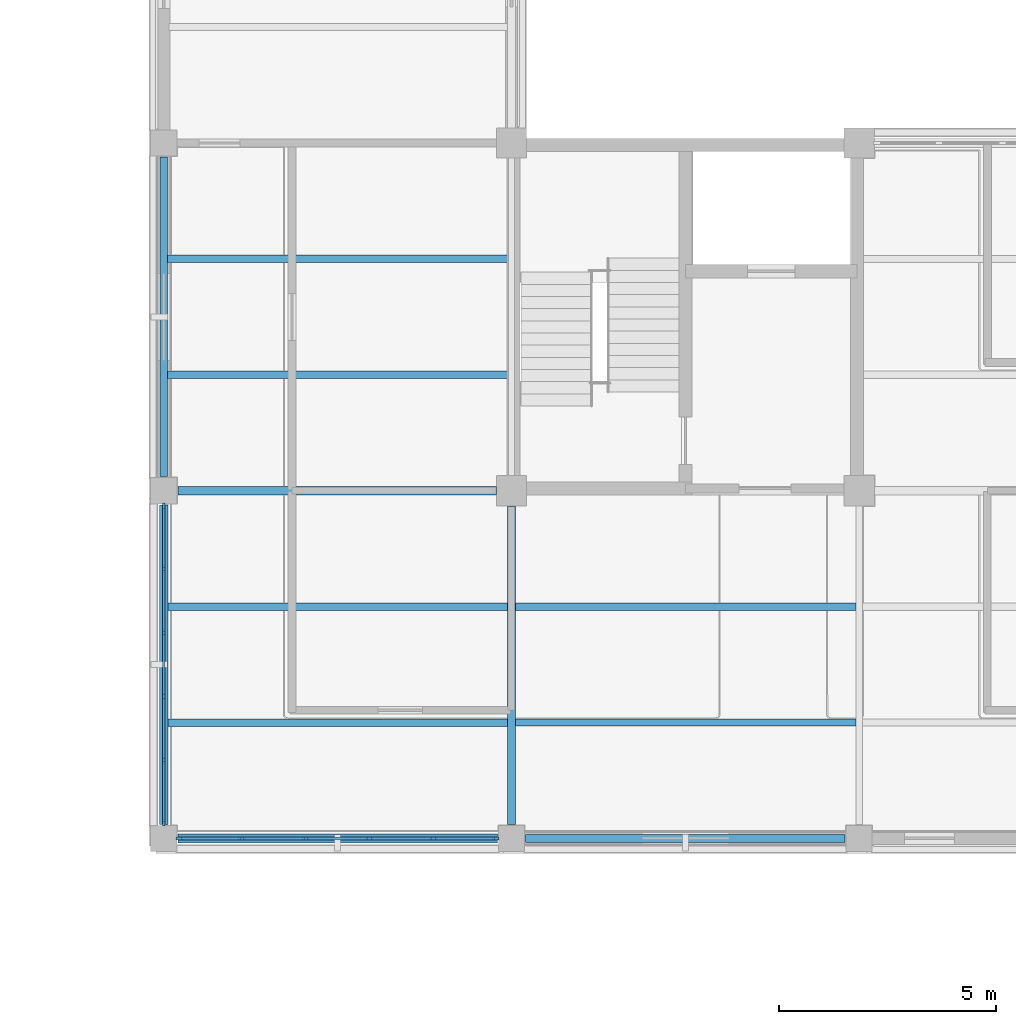
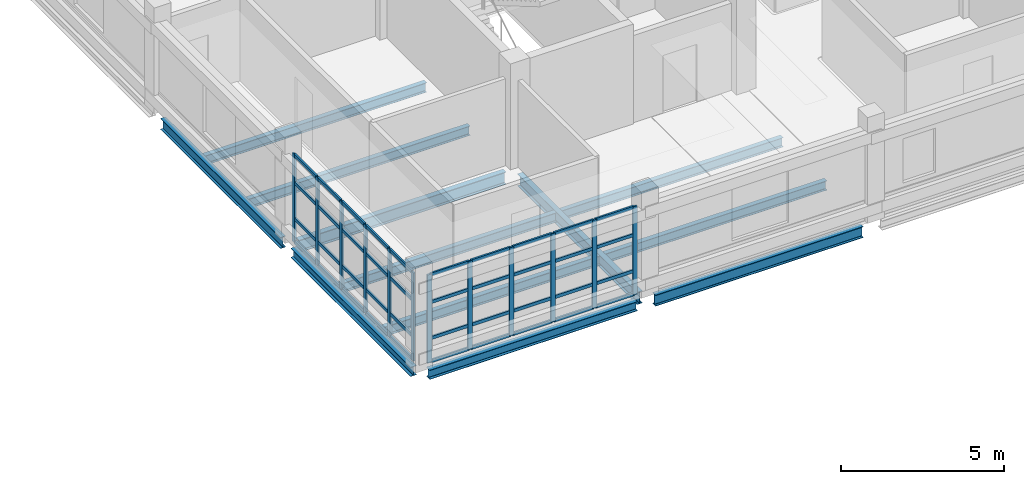
# One storey, part 10 of 35: 52 members, 12 beams, 2 elements without a shape of their own.
"""IFC4 building model written with IfcOpenShell, lengths in metres."""

from ifc_helpers import new_model, si_unit, derived_unit, direction, frame, origin, origin_2d, place, context, subcontext, project, spatial, rectangle, i_section, extrude, material, layer, layer_set, material_profile, profile_set, type_object, element, aggregate, save


model = new_model("IFC4")

# Units and contexts
model_context = context("Model", 3, precision=1e-05, world=origin(), true_north=direction((0.0, 1.0)))
body_context = subcontext(model_context, "Body", "Model", "MODEL_VIEW")
ifc_project = project(units=[si_unit("LENGTHUNIT", "METRE"), si_unit("AREAUNIT", "SQUARE_METRE"), si_unit("VOLUMEUNIT", "CUBIC_METRE"), si_unit("PLANEANGLEUNIT", "RADIAN"), si_unit("MASSUNIT", "GRAM", prefix="KILO"), derived_unit("THERMALTRANSMITTANCEUNIT", [(si_unit("MASSUNIT", "GRAM", prefix="KILO"), 1), (si_unit("TIMEUNIT", "SECOND"), -3), (si_unit("THERMODYNAMICTEMPERATUREUNIT", "KELVIN"), -1)])], contexts=[model_context])

# Site, building, storey
site_placement = place(None, origin())
site = spatial("IfcSite", under=ifc_project, at=site_placement, CompositionType="ELEMENT")
building_placement = place(site_placement, origin())
building = spatial("IfcBuilding", under=site, at=building_placement, Name="Veyamyaing Civic Hall", CompositionType="ELEMENT")
storey_placement = place(building_placement, frame((0.0, 0.0, 21.780029296875)))
storey = spatial("IfcBuildingStorey", under=building, at=storey_placement, Name="L05", CompositionType="ELEMENT", Elevation=21.780029296875)

# Beams
ifc_material_1 = material(Name="Steel ASTM A992", Category="steel")
ifc_material_profile_1 = material_profile(ifc_material_1, i_section(OverallWidth=0.19189453125, OverallDepth=0.462890625, WebThickness=0.010498046875, FlangeThickness=0.017578125, FilletRadius=0.010009765625, at=origin_2d()), Name="W460X89")
ifc_profile_set_1 = profile_set([ifc_material_profile_1], Name="Steel ASTM A992")
beam_type_1 = type_object("IfcBeamType", Name="B-08", PredefinedType="BEAM", material=ifc_profile_set_1)
beam_1_placement = place(storey_placement, frame((128.324951171875, 96.0, -0.45654296875), z_axis=(1.0, 0.0, 0.0), x_axis=(0.0, 1.0, 0.0)))
element("IfcBeam", 1, at=beam_1_placement, inside=storey, type_object=beam_type_1, Name="Girder B-08 L05 Grid N 17-18", PredefinedType="BEAM", context=body_context, shape_type="SweptSolid", body=[
    extrude(i_section(OverallWidth=0.19189453125, OverallDepth=0.462890625, WebThickness=0.010498046875, FlangeThickness=0.017578125, FilletRadius=0.010009765625, at=origin_2d()), origin(), (0.0, 0.0, 1.0), 7.324951171875),
])
ifc_material_profile_2 = material_profile(ifc_material_1, i_section(OverallWidth=0.18994140625, OverallDepth=0.45703125, WebThickness=0.009033203125, FlangeThickness=0.014404296875, FilletRadius=0.010009765625, at=origin_2d()), Name="W460X74")
ifc_profile_set_2 = profile_set([ifc_material_profile_2], Name="Steel ASTM A992")
beam_type_2 = type_object("IfcBeamType", Name="B-09", PredefinedType="BEAM", material=ifc_profile_set_2)
beam_2_placement = place(storey_placement, frame((136.0, 88.324951171875, -0.45361328125), z_axis=(0.0, 1.0, 0.0), x_axis=(-1.0, 0.0, 0.0)))
element("IfcBeam", 2, at=beam_2_placement, inside=storey, type_object=beam_type_2, Name="Girder B-09 L05 Grid 18 M-N", PredefinedType="BEAM", context=body_context, shape_type="SweptSolid", body=[
    extrude(i_section(OverallWidth=0.18994140625, OverallDepth=0.45703125, WebThickness=0.009033203125, FlangeThickness=0.014404296875, FilletRadius=0.010009765625, at=origin_2d()), origin(), (0.0, 0.0, 1.0), 7.324951171875),
])
ifc_material_profile_3 = material_profile(ifc_material_1, i_section(OverallWidth=0.2041015625, OverallDepth=0.35009765625, WebThickness=0.0078125, FlangeThickness=0.01513671875, FilletRadius=0.010009765625, at=origin_2d()), Name="W360X72")
ifc_profile_set_3 = profile_set([ifc_material_profile_3], Name="Steel ASTM A992")
beam_type_3 = type_object("IfcBeamType", Name="B-11", PredefinedType="SPANDREL", material=ifc_profile_set_3)
for number, where, z_axis, x_axis, name in (
    (3, (128.324951171875, 88.0, -0.400146484375), (1.0, 0.0, 0.0), (0.0, 1.0, 0.0), "Girder B-11 L05 Grid M 17-18"),
    (4, (128.0, 88.324951171875, -0.400146484375), (0.0, 1.0, 0.0), (-1.0, 0.0, 0.0), "Girder B-11 L05 Grid 17 M-N"),
):
    element("IfcBeam", number, at=place(storey_placement, frame(where, z_axis=z_axis, x_axis=x_axis)), inside=storey, type_object=beam_type_3, Name=name, PredefinedType="SPANDREL", context=body_context, shape_type="SweptSolid", body=[
        extrude(i_section(OverallWidth=0.2041015625, OverallDepth=0.35009765625, WebThickness=0.0078125, FlangeThickness=0.01513671875, FilletRadius=0.010009765625, at=origin_2d()), origin(), (0.0, 0.0, 1.0), 7.35009765625),
    ])
ifc_material_profile_4 = material_profile(ifc_material_1, i_section(OverallWidth=0.180908203125, OverallDepth=0.4169921875, WebThickness=0.010986328125, FlangeThickness=0.018310546875, FilletRadius=0.010009765625, at=origin_2d()), Name="W410X85")
ifc_profile_set_4 = profile_set([ifc_material_profile_4], Name="Steel ASTM A992")
beam_type_4 = type_object("IfcBeamType", Name="B-19", PredefinedType="SPANDREL", material=ifc_profile_set_4)
for number, where, z_axis, x_axis, name in (
    (5, (136.324951171875, 88.0, -0.43359375), (1.0, 0.0, 0.0), (0.0, 1.0, 0.0), "Girder B-19 L05 Grid M 18-19"),
    (6, (128.0, 96.324951171875, -0.43359375), (0.0, 1.0, 0.0), (-1.0, 0.0, 0.0), "Girder B-19 L05 Grid 17 N-P"),
):
    element("IfcBeam", number, at=place(storey_placement, frame(where, z_axis=z_axis, x_axis=x_axis)), inside=storey, type_object=beam_type_4, Name=name, PredefinedType="SPANDREL", context=body_context, shape_type="SweptSolid", body=[
        extrude(i_section(OverallWidth=0.180908203125, OverallDepth=0.4169921875, WebThickness=0.010986328125, FlangeThickness=0.018310546875, FilletRadius=0.010009765625, at=origin_2d()), origin(), (0.0, 0.0, 1.0), 7.35009765625),
    ])

# Curtain wall, members
ifc_material_2 = material(Name="Anodised aluminium 6063-T6", Category="aluminium")
ifc_layer = layer(ifc_material_2, 0.159912109375, Name="Anodised aluminium 6063-T6")
ifc_layer_set = layer_set([ifc_layer], Name="Anodised aluminium 6063-T6")
curtain_wall_type = type_object("IfcCurtainWallType", Name="CW-09", PredefinedType="NOTDEFINED", material=ifc_layer_set)
curtain_wall_1_placement = place(storey_placement, origin())
curtain_wall_1 = element("IfcCurtainWall", 7, at=curtain_wall_1_placement, inside=storey, type_object=curtain_wall_type, Name="Unitized curtain wall CW-09 L05 S 17.12", PredefinedType="NOTDEFINED")
ifc_material_profile_5 = material_profile(ifc_material_2, rectangle(XDim=0.06494140625, YDim=0.159912109375, at=origin_2d()), Name="ALU-MUL-65X160")
ifc_profile_set_5 = profile_set([ifc_material_profile_5], Name="Anodised aluminium 6063-T6")
member_type_1 = type_object("IfcMemberType", Name="CWM-01", PredefinedType="MULLION", material=ifc_profile_set_5)
member_1_placement = place(storey_placement, frame((128.362548828125, 88.0, 0.0), z_axis=(0.0, 0.0, 1.0), x_axis=(0.0, 1.0, 0.0)))
member_1 = element("IfcMember", 8, at=member_1_placement, type_object=member_type_1, Name="CW-09 mullion 1", PredefinedType="MULLION", context=body_context, shape_type="SweptSolid", body=[
    extrude(rectangle(XDim=0.06494140625, YDim=0.159912109375, at=origin_2d()), origin(), (0.0, 0.0, 1.0), 3.304931640625),
])
member_2_placement = place(storey_placement, frame((129.798095703125, 88.0, 0.0), z_axis=(0.0, 0.0, 1.0), x_axis=(0.0, 1.0, 0.0)))
member_2 = element("IfcMember", 9, at=member_2_placement, type_object=member_type_1, Name="CW-09 mullion 2", PredefinedType="MULLION", context=body_context, shape_type="SweptSolid", body=[
    extrude(rectangle(XDim=0.06494140625, YDim=0.159912109375, at=origin_2d()), origin(), (0.0, 0.0, 1.0), 3.304931640625),
])
member_3_placement = place(storey_placement, frame((131.26611328125, 88.0, 0.0), z_axis=(0.0, 0.0, 1.0), x_axis=(0.0, 1.0, 0.0)))
member_3 = element("IfcMember", 10, at=member_3_placement, type_object=member_type_1, Name="CW-09 mullion 3", PredefinedType="MULLION", context=body_context, shape_type="SweptSolid", body=[
    extrude(rectangle(XDim=0.06494140625, YDim=0.159912109375, at=origin_2d()), origin(), (0.0, 0.0, 1.0), 3.304931640625),
])
member_4_placement = place(storey_placement, frame((132.73388671875, 88.0, 0.0), z_axis=(0.0, 0.0, 1.0), x_axis=(0.0, 1.0, 0.0)))
member_4 = element("IfcMember", 11, at=member_4_placement, type_object=member_type_1, Name="CW-09 mullion 4", PredefinedType="MULLION", context=body_context, shape_type="SweptSolid", body=[
    extrude(rectangle(XDim=0.06494140625, YDim=0.159912109375, at=origin_2d()), origin(), (0.0, 0.0, 1.0), 3.304931640625),
])
member_5_placement = place(storey_placement, frame((134.201904296875, 88.0, 0.0), z_axis=(0.0, 0.0, 1.0), x_axis=(0.0, 1.0, 0.0)))
member_5 = element("IfcMember", 12, at=member_5_placement, type_object=member_type_1, Name="CW-09 mullion 5", PredefinedType="MULLION", context=body_context, shape_type="SweptSolid", body=[
    extrude(rectangle(XDim=0.06494140625, YDim=0.159912109375, at=origin_2d()), origin(), (0.0, 0.0, 1.0), 3.304931640625),
])
member_6_placement = place(storey_placement, frame((135.637451171875, 88.0, 0.0), z_axis=(0.0, 0.0, 1.0), x_axis=(0.0, 1.0, 0.0)))
member_6 = element("IfcMember", 13, at=member_6_placement, type_object=member_type_1, Name="CW-09 mullion 6", PredefinedType="MULLION", context=body_context, shape_type="SweptSolid", body=[
    extrude(rectangle(XDim=0.06494140625, YDim=0.159912109375, at=origin_2d()), origin(), (0.0, 0.0, 1.0), 3.304931640625),
])

curtain_wall_2_placement = place(storey_placement, origin())
curtain_wall_2 = element("IfcCurtainWall", 14, at=curtain_wall_2_placement, inside=storey, type_object=curtain_wall_type, Name="Unitized curtain wall CW-09 L05 W 17.12", PredefinedType="NOTDEFINED")
member_7_placement = place(storey_placement, frame((128.0, 88.362548828125, 0.0), z_axis=(0.0, 0.0, 1.0), x_axis=(-1.0, 0.0, 0.0)))
member_7 = element("IfcMember", 15, at=member_7_placement, type_object=member_type_1, Name="CW-09 mullion 1", PredefinedType="MULLION", context=body_context, shape_type="SweptSolid", body=[
    extrude(rectangle(XDim=0.06494140625, YDim=0.159912109375, at=origin_2d()), origin(), (0.0, 0.0, 1.0), 3.304931640625),
])
member_8_placement = place(storey_placement, frame((128.0, 89.798095703125, 0.0), z_axis=(0.0, 0.0, 1.0), x_axis=(-1.0, 0.0, 0.0)))
member_8 = element("IfcMember", 16, at=member_8_placement, type_object=member_type_1, Name="CW-09 mullion 2", PredefinedType="MULLION", context=body_context, shape_type="SweptSolid", body=[
    extrude(rectangle(XDim=0.06494140625, YDim=0.159912109375, at=origin_2d()), origin(), (0.0, 0.0, 1.0), 3.304931640625),
])
member_9_placement = place(storey_placement, frame((128.0, 91.26611328125, 0.0), z_axis=(0.0, 0.0, 1.0), x_axis=(-1.0, 0.0, 0.0)))
member_9 = element("IfcMember", 17, at=member_9_placement, type_object=member_type_1, Name="CW-09 mullion 3", PredefinedType="MULLION", context=body_context, shape_type="SweptSolid", body=[
    extrude(rectangle(XDim=0.06494140625, YDim=0.159912109375, at=origin_2d()), origin(), (0.0, 0.0, 1.0), 3.304931640625),
])
member_10_placement = place(storey_placement, frame((128.0, 92.73388671875, 0.0), z_axis=(0.0, 0.0, 1.0), x_axis=(-1.0, 0.0, 0.0)))
member_10 = element("IfcMember", 18, at=member_10_placement, type_object=member_type_1, Name="CW-09 mullion 4", PredefinedType="MULLION", context=body_context, shape_type="SweptSolid", body=[
    extrude(rectangle(XDim=0.06494140625, YDim=0.159912109375, at=origin_2d()), origin(), (0.0, 0.0, 1.0), 3.304931640625),
])
member_11_placement = place(storey_placement, frame((128.0, 94.201904296875, 0.0), z_axis=(0.0, 0.0, 1.0), x_axis=(-1.0, 0.0, 0.0)))
member_11 = element("IfcMember", 19, at=member_11_placement, type_object=member_type_1, Name="CW-09 mullion 5", PredefinedType="MULLION", context=body_context, shape_type="SweptSolid", body=[
    extrude(rectangle(XDim=0.06494140625, YDim=0.159912109375, at=origin_2d()), origin(), (0.0, 0.0, 1.0), 3.304931640625),
])
member_12_placement = place(storey_placement, frame((128.0, 95.637451171875, 0.0), z_axis=(0.0, 0.0, 1.0), x_axis=(-1.0, 0.0, 0.0)))
member_12 = element("IfcMember", 20, at=member_12_placement, type_object=member_type_1, Name="CW-09 mullion 6", PredefinedType="MULLION", context=body_context, shape_type="SweptSolid", body=[
    extrude(rectangle(XDim=0.06494140625, YDim=0.159912109375, at=origin_2d()), origin(), (0.0, 0.0, 1.0), 3.304931640625),
])

# Member
ifc_material_profile_6 = material_profile(ifc_material_2, rectangle(XDim=0.06494140625, YDim=0.1201171875, at=origin_2d()), Name="ALU-TRN-65X120")
ifc_profile_set_6 = profile_set([ifc_material_profile_6], Name="Anodised aluminium 6063-T6")
member_type_2 = type_object("IfcMemberType", Name="CWT-01", PredefinedType="USERDEFINED", material=ifc_profile_set_6)
member_13_placement = place(storey_placement, frame((128.39501953125, 88.0, 0.032470703125), z_axis=(1.0, 0.0, 0.0), x_axis=(0.0, 1.0, 0.0)))
member_13 = element("IfcMember", 21, at=member_13_placement, type_object=member_type_2, Name="CW-09 transom 1.1", ObjectType="TRANSOM", PredefinedType="USERDEFINED", context=body_context, shape_type="SweptSolid", body=[
    extrude(rectangle(XDim=0.06494140625, YDim=0.1201171875, at=origin_2d()), origin(), (0.0, 0.0, 1.0), 1.370361328125),
])

member_14_placement = place(storey_placement, frame((128.39501953125, 88.0, 0.89990234375), z_axis=(1.0, 0.0, 0.0), x_axis=(0.0, 1.0, 0.0)))
member_14 = element("IfcMember", 22, at=member_14_placement, type_object=member_type_2, Name="CW-09 transom 1.2", ObjectType="TRANSOM", PredefinedType="USERDEFINED", context=body_context, shape_type="SweptSolid", body=[
    extrude(rectangle(XDim=0.06494140625, YDim=0.1201171875, at=origin_2d()), origin(), (0.0, 0.0, 1.0), 1.370361328125),
])

member_15_placement = place(storey_placement, frame((128.39501953125, 88.0, 2.247314453125), z_axis=(1.0, 0.0, 0.0), x_axis=(0.0, 1.0, 0.0)))
member_15 = element("IfcMember", 23, at=member_15_placement, type_object=member_type_2, Name="CW-09 transom 1.3", ObjectType="TRANSOM", PredefinedType="USERDEFINED", context=body_context, shape_type="SweptSolid", body=[
    extrude(rectangle(XDim=0.06494140625, YDim=0.1201171875, at=origin_2d()), origin(), (0.0, 0.0, 1.0), 1.370361328125),
])

member_16_placement = place(storey_placement, frame((128.39501953125, 88.0, 3.2724609375), z_axis=(1.0, 0.0, 0.0), x_axis=(0.0, 1.0, 0.0)))
member_16 = element("IfcMember", 24, at=member_16_placement, type_object=member_type_2, Name="CW-09 transom 1.4", ObjectType="TRANSOM", PredefinedType="USERDEFINED", context=body_context, shape_type="SweptSolid", body=[
    extrude(rectangle(XDim=0.06494140625, YDim=0.1201171875, at=origin_2d()), origin(), (0.0, 0.0, 1.0), 1.370361328125),
])

member_17_placement = place(storey_placement, frame((129.83056640625, 88.0, 0.032470703125), z_axis=(1.0, 0.0, 0.0), x_axis=(0.0, 1.0, 0.0)))
member_17 = element("IfcMember", 25, at=member_17_placement, type_object=member_type_2, Name="CW-09 transom 2.1", ObjectType="TRANSOM", PredefinedType="USERDEFINED", context=body_context, shape_type="SweptSolid", body=[
    extrude(rectangle(XDim=0.06494140625, YDim=0.1201171875, at=origin_2d()), origin(), (0.0, 0.0, 1.0), 1.40283203125),
])

member_18_placement = place(storey_placement, frame((129.83056640625, 88.0, 0.89990234375), z_axis=(1.0, 0.0, 0.0), x_axis=(0.0, 1.0, 0.0)))
member_18 = element("IfcMember", 26, at=member_18_placement, type_object=member_type_2, Name="CW-09 transom 2.2", ObjectType="TRANSOM", PredefinedType="USERDEFINED", context=body_context, shape_type="SweptSolid", body=[
    extrude(rectangle(XDim=0.06494140625, YDim=0.1201171875, at=origin_2d()), origin(), (0.0, 0.0, 1.0), 1.40283203125),
])

member_19_placement = place(storey_placement, frame((129.83056640625, 88.0, 2.247314453125), z_axis=(1.0, 0.0, 0.0), x_axis=(0.0, 1.0, 0.0)))
member_19 = element("IfcMember", 27, at=member_19_placement, type_object=member_type_2, Name="CW-09 transom 2.3", ObjectType="TRANSOM", PredefinedType="USERDEFINED", context=body_context, shape_type="SweptSolid", body=[
    extrude(rectangle(XDim=0.06494140625, YDim=0.1201171875, at=origin_2d()), origin(), (0.0, 0.0, 1.0), 1.40283203125),
])

member_20_placement = place(storey_placement, frame((129.83056640625, 88.0, 3.2724609375), z_axis=(1.0, 0.0, 0.0), x_axis=(0.0, 1.0, 0.0)))
member_20 = element("IfcMember", 28, at=member_20_placement, type_object=member_type_2, Name="CW-09 transom 2.4", ObjectType="TRANSOM", PredefinedType="USERDEFINED", context=body_context, shape_type="SweptSolid", body=[
    extrude(rectangle(XDim=0.06494140625, YDim=0.1201171875, at=origin_2d()), origin(), (0.0, 0.0, 1.0), 1.40283203125),
])

member_21_placement = place(storey_placement, frame((131.298583984375, 88.0, 0.032470703125), z_axis=(1.0, 0.0, 0.0), x_axis=(0.0, 1.0, 0.0)))
member_21 = element("IfcMember", 29, at=member_21_placement, type_object=member_type_2, Name="CW-09 transom 3.1", ObjectType="TRANSOM", PredefinedType="USERDEFINED", context=body_context, shape_type="SweptSolid", body=[
    extrude(rectangle(XDim=0.06494140625, YDim=0.1201171875, at=origin_2d()), origin(), (0.0, 0.0, 1.0), 1.40283203125),
])

member_22_placement = place(storey_placement, frame((131.298583984375, 88.0, 0.89990234375), z_axis=(1.0, 0.0, 0.0), x_axis=(0.0, 1.0, 0.0)))
member_22 = element("IfcMember", 30, at=member_22_placement, type_object=member_type_2, Name="CW-09 transom 3.2", ObjectType="TRANSOM", PredefinedType="USERDEFINED", context=body_context, shape_type="SweptSolid", body=[
    extrude(rectangle(XDim=0.06494140625, YDim=0.1201171875, at=origin_2d()), origin(), (0.0, 0.0, 1.0), 1.40283203125),
])

member_23_placement = place(storey_placement, frame((131.298583984375, 88.0, 2.247314453125), z_axis=(1.0, 0.0, 0.0), x_axis=(0.0, 1.0, 0.0)))
member_23 = element("IfcMember", 31, at=member_23_placement, type_object=member_type_2, Name="CW-09 transom 3.3", ObjectType="TRANSOM", PredefinedType="USERDEFINED", context=body_context, shape_type="SweptSolid", body=[
    extrude(rectangle(XDim=0.06494140625, YDim=0.1201171875, at=origin_2d()), origin(), (0.0, 0.0, 1.0), 1.40283203125),
])

member_24_placement = place(storey_placement, frame((131.298583984375, 88.0, 3.2724609375), z_axis=(1.0, 0.0, 0.0), x_axis=(0.0, 1.0, 0.0)))
member_24 = element("IfcMember", 32, at=member_24_placement, type_object=member_type_2, Name="CW-09 transom 3.4", ObjectType="TRANSOM", PredefinedType="USERDEFINED", context=body_context, shape_type="SweptSolid", body=[
    extrude(rectangle(XDim=0.06494140625, YDim=0.1201171875, at=origin_2d()), origin(), (0.0, 0.0, 1.0), 1.40283203125),
])

member_25_placement = place(storey_placement, frame((132.7666015625, 88.0, 0.032470703125), z_axis=(1.0, 0.0, 0.0), x_axis=(0.0, 1.0, 0.0)))
member_25 = element("IfcMember", 33, at=member_25_placement, type_object=member_type_2, Name="CW-09 transom 4.1", ObjectType="TRANSOM", PredefinedType="USERDEFINED", context=body_context, shape_type="SweptSolid", body=[
    extrude(rectangle(XDim=0.06494140625, YDim=0.1201171875, at=origin_2d()), origin(), (0.0, 0.0, 1.0), 1.40283203125),
])

member_26_placement = place(storey_placement, frame((132.7666015625, 88.0, 0.89990234375), z_axis=(1.0, 0.0, 0.0), x_axis=(0.0, 1.0, 0.0)))
member_26 = element("IfcMember", 34, at=member_26_placement, type_object=member_type_2, Name="CW-09 transom 4.2", ObjectType="TRANSOM", PredefinedType="USERDEFINED", context=body_context, shape_type="SweptSolid", body=[
    extrude(rectangle(XDim=0.06494140625, YDim=0.1201171875, at=origin_2d()), origin(), (0.0, 0.0, 1.0), 1.40283203125),
])

member_27_placement = place(storey_placement, frame((132.7666015625, 88.0, 2.247314453125), z_axis=(1.0, 0.0, 0.0), x_axis=(0.0, 1.0, 0.0)))
member_27 = element("IfcMember", 35, at=member_27_placement, type_object=member_type_2, Name="CW-09 transom 4.3", ObjectType="TRANSOM", PredefinedType="USERDEFINED", context=body_context, shape_type="SweptSolid", body=[
    extrude(rectangle(XDim=0.06494140625, YDim=0.1201171875, at=origin_2d()), origin(), (0.0, 0.0, 1.0), 1.40283203125),
])

member_28_placement = place(storey_placement, frame((132.7666015625, 88.0, 3.2724609375), z_axis=(1.0, 0.0, 0.0), x_axis=(0.0, 1.0, 0.0)))
member_28 = element("IfcMember", 36, at=member_28_placement, type_object=member_type_2, Name="CW-09 transom 4.4", ObjectType="TRANSOM", PredefinedType="USERDEFINED", context=body_context, shape_type="SweptSolid", body=[
    extrude(rectangle(XDim=0.06494140625, YDim=0.1201171875, at=origin_2d()), origin(), (0.0, 0.0, 1.0), 1.40283203125),
])

member_29_placement = place(storey_placement, frame((134.234619140625, 88.0, 0.032470703125), z_axis=(1.0, 0.0, 0.0), x_axis=(0.0, 1.0, 0.0)))
member_29 = element("IfcMember", 37, at=member_29_placement, type_object=member_type_2, Name="CW-09 transom 5.1", ObjectType="TRANSOM", PredefinedType="USERDEFINED", context=body_context, shape_type="SweptSolid", body=[
    extrude(rectangle(XDim=0.06494140625, YDim=0.1201171875, at=origin_2d()), origin(), (0.0, 0.0, 1.0), 1.370361328125),
])

member_30_placement = place(storey_placement, frame((134.234619140625, 88.0, 0.89990234375), z_axis=(1.0, 0.0, 0.0), x_axis=(0.0, 1.0, 0.0)))
member_30 = element("IfcMember", 38, at=member_30_placement, type_object=member_type_2, Name="CW-09 transom 5.2", ObjectType="TRANSOM", PredefinedType="USERDEFINED", context=body_context, shape_type="SweptSolid", body=[
    extrude(rectangle(XDim=0.06494140625, YDim=0.1201171875, at=origin_2d()), origin(), (0.0, 0.0, 1.0), 1.370361328125),
])

member_31_placement = place(storey_placement, frame((134.234619140625, 88.0, 2.247314453125), z_axis=(1.0, 0.0, 0.0), x_axis=(0.0, 1.0, 0.0)))
member_31 = element("IfcMember", 39, at=member_31_placement, type_object=member_type_2, Name="CW-09 transom 5.3", ObjectType="TRANSOM", PredefinedType="USERDEFINED", context=body_context, shape_type="SweptSolid", body=[
    extrude(rectangle(XDim=0.06494140625, YDim=0.1201171875, at=origin_2d()), origin(), (0.0, 0.0, 1.0), 1.370361328125),
])

member_32_placement = place(storey_placement, frame((134.234619140625, 88.0, 3.2724609375), z_axis=(1.0, 0.0, 0.0), x_axis=(0.0, 1.0, 0.0)))
member_32 = element("IfcMember", 40, at=member_32_placement, type_object=member_type_2, Name="CW-09 transom 5.4", ObjectType="TRANSOM", PredefinedType="USERDEFINED", context=body_context, shape_type="SweptSolid", body=[
    extrude(rectangle(XDim=0.06494140625, YDim=0.1201171875, at=origin_2d()), origin(), (0.0, 0.0, 1.0), 1.370361328125),
])

aggregate(curtain_wall_1, [member_1, member_2, member_3, member_4, member_5, member_6, member_13, member_14, member_15, member_16, member_17, member_18, member_19, member_20, member_21, member_22, member_23, member_24, member_25, member_26, member_27, member_28, member_29, member_30, member_31, member_32])

member_33_placement = place(storey_placement, frame((128.0, 88.39501953125, 0.032470703125), z_axis=(0.0, 1.0, 0.0), x_axis=(-1.0, 0.0, 0.0)))
member_33 = element("IfcMember", 41, at=member_33_placement, type_object=member_type_2, Name="CW-09 transom 1.1", ObjectType="TRANSOM", PredefinedType="USERDEFINED", context=body_context, shape_type="SweptSolid", body=[
    extrude(rectangle(XDim=0.06494140625, YDim=0.1201171875, at=origin_2d()), origin(), (0.0, 0.0, 1.0), 1.370361328125),
])

member_34_placement = place(storey_placement, frame((128.0, 88.39501953125, 0.89990234375), z_axis=(0.0, 1.0, 0.0), x_axis=(-1.0, 0.0, 0.0)))
member_34 = element("IfcMember", 42, at=member_34_placement, type_object=member_type_2, Name="CW-09 transom 1.2", ObjectType="TRANSOM", PredefinedType="USERDEFINED", context=body_context, shape_type="SweptSolid", body=[
    extrude(rectangle(XDim=0.06494140625, YDim=0.1201171875, at=origin_2d()), origin(), (0.0, 0.0, 1.0), 1.370361328125),
])

member_35_placement = place(storey_placement, frame((128.0, 88.39501953125, 2.247314453125), z_axis=(0.0, 1.0, 0.0), x_axis=(-1.0, 0.0, 0.0)))
member_35 = element("IfcMember", 43, at=member_35_placement, type_object=member_type_2, Name="CW-09 transom 1.3", ObjectType="TRANSOM", PredefinedType="USERDEFINED", context=body_context, shape_type="SweptSolid", body=[
    extrude(rectangle(XDim=0.06494140625, YDim=0.1201171875, at=origin_2d()), origin(), (0.0, 0.0, 1.0), 1.370361328125),
])

member_36_placement = place(storey_placement, frame((128.0, 88.39501953125, 3.2724609375), z_axis=(0.0, 1.0, 0.0), x_axis=(-1.0, 0.0, 0.0)))
member_36 = element("IfcMember", 44, at=member_36_placement, type_object=member_type_2, Name="CW-09 transom 1.4", ObjectType="TRANSOM", PredefinedType="USERDEFINED", context=body_context, shape_type="SweptSolid", body=[
    extrude(rectangle(XDim=0.06494140625, YDim=0.1201171875, at=origin_2d()), origin(), (0.0, 0.0, 1.0), 1.370361328125),
])

member_37_placement = place(storey_placement, frame((128.0, 89.83056640625, 0.032470703125), z_axis=(0.0, 1.0, 0.0), x_axis=(-1.0, 0.0, 0.0)))
member_37 = element("IfcMember", 45, at=member_37_placement, type_object=member_type_2, Name="CW-09 transom 2.1", ObjectType="TRANSOM", PredefinedType="USERDEFINED", context=body_context, shape_type="SweptSolid", body=[
    extrude(rectangle(XDim=0.06494140625, YDim=0.1201171875, at=origin_2d()), origin(), (0.0, 0.0, 1.0), 1.40283203125),
])

member_38_placement = place(storey_placement, frame((128.0, 89.83056640625, 0.89990234375), z_axis=(0.0, 1.0, 0.0), x_axis=(-1.0, 0.0, 0.0)))
member_38 = element("IfcMember", 46, at=member_38_placement, type_object=member_type_2, Name="CW-09 transom 2.2", ObjectType="TRANSOM", PredefinedType="USERDEFINED", context=body_context, shape_type="SweptSolid", body=[
    extrude(rectangle(XDim=0.06494140625, YDim=0.1201171875, at=origin_2d()), origin(), (0.0, 0.0, 1.0), 1.40283203125),
])

member_39_placement = place(storey_placement, frame((128.0, 89.83056640625, 2.247314453125), z_axis=(0.0, 1.0, 0.0), x_axis=(-1.0, 0.0, 0.0)))
member_39 = element("IfcMember", 47, at=member_39_placement, type_object=member_type_2, Name="CW-09 transom 2.3", ObjectType="TRANSOM", PredefinedType="USERDEFINED", context=body_context, shape_type="SweptSolid", body=[
    extrude(rectangle(XDim=0.06494140625, YDim=0.1201171875, at=origin_2d()), origin(), (0.0, 0.0, 1.0), 1.40283203125),
])

member_40_placement = place(storey_placement, frame((128.0, 89.83056640625, 3.2724609375), z_axis=(0.0, 1.0, 0.0), x_axis=(-1.0, 0.0, 0.0)))
member_40 = element("IfcMember", 48, at=member_40_placement, type_object=member_type_2, Name="CW-09 transom 2.4", ObjectType="TRANSOM", PredefinedType="USERDEFINED", context=body_context, shape_type="SweptSolid", body=[
    extrude(rectangle(XDim=0.06494140625, YDim=0.1201171875, at=origin_2d()), origin(), (0.0, 0.0, 1.0), 1.40283203125),
])

member_41_placement = place(storey_placement, frame((128.0, 91.298583984375, 0.032470703125), z_axis=(0.0, 1.0, 0.0), x_axis=(-1.0, 0.0, 0.0)))
member_41 = element("IfcMember", 49, at=member_41_placement, type_object=member_type_2, Name="CW-09 transom 3.1", ObjectType="TRANSOM", PredefinedType="USERDEFINED", context=body_context, shape_type="SweptSolid", body=[
    extrude(rectangle(XDim=0.06494140625, YDim=0.1201171875, at=origin_2d()), origin(), (0.0, 0.0, 1.0), 1.40283203125),
])

member_42_placement = place(storey_placement, frame((128.0, 91.298583984375, 0.89990234375), z_axis=(0.0, 1.0, 0.0), x_axis=(-1.0, 0.0, 0.0)))
member_42 = element("IfcMember", 50, at=member_42_placement, type_object=member_type_2, Name="CW-09 transom 3.2", ObjectType="TRANSOM", PredefinedType="USERDEFINED", context=body_context, shape_type="SweptSolid", body=[
    extrude(rectangle(XDim=0.06494140625, YDim=0.1201171875, at=origin_2d()), origin(), (0.0, 0.0, 1.0), 1.40283203125),
])

member_43_placement = place(storey_placement, frame((128.0, 91.298583984375, 2.247314453125), z_axis=(0.0, 1.0, 0.0), x_axis=(-1.0, 0.0, 0.0)))
member_43 = element("IfcMember", 51, at=member_43_placement, type_object=member_type_2, Name="CW-09 transom 3.3", ObjectType="TRANSOM", PredefinedType="USERDEFINED", context=body_context, shape_type="SweptSolid", body=[
    extrude(rectangle(XDim=0.06494140625, YDim=0.1201171875, at=origin_2d()), origin(), (0.0, 0.0, 1.0), 1.40283203125),
])

member_44_placement = place(storey_placement, frame((128.0, 91.298583984375, 3.2724609375), z_axis=(0.0, 1.0, 0.0), x_axis=(-1.0, 0.0, 0.0)))
member_44 = element("IfcMember", 52, at=member_44_placement, type_object=member_type_2, Name="CW-09 transom 3.4", ObjectType="TRANSOM", PredefinedType="USERDEFINED", context=body_context, shape_type="SweptSolid", body=[
    extrude(rectangle(XDim=0.06494140625, YDim=0.1201171875, at=origin_2d()), origin(), (0.0, 0.0, 1.0), 1.40283203125),
])

member_45_placement = place(storey_placement, frame((128.0, 92.7666015625, 0.032470703125), z_axis=(0.0, 1.0, 0.0), x_axis=(-1.0, 0.0, 0.0)))
member_45 = element("IfcMember", 53, at=member_45_placement, type_object=member_type_2, Name="CW-09 transom 4.1", ObjectType="TRANSOM", PredefinedType="USERDEFINED", context=body_context, shape_type="SweptSolid", body=[
    extrude(rectangle(XDim=0.06494140625, YDim=0.1201171875, at=origin_2d()), origin(), (0.0, 0.0, 1.0), 1.40283203125),
])

member_46_placement = place(storey_placement, frame((128.0, 92.7666015625, 0.89990234375), z_axis=(0.0, 1.0, 0.0), x_axis=(-1.0, 0.0, 0.0)))
member_46 = element("IfcMember", 54, at=member_46_placement, type_object=member_type_2, Name="CW-09 transom 4.2", ObjectType="TRANSOM", PredefinedType="USERDEFINED", context=body_context, shape_type="SweptSolid", body=[
    extrude(rectangle(XDim=0.06494140625, YDim=0.1201171875, at=origin_2d()), origin(), (0.0, 0.0, 1.0), 1.40283203125),
])

member_47_placement = place(storey_placement, frame((128.0, 92.7666015625, 2.247314453125), z_axis=(0.0, 1.0, 0.0), x_axis=(-1.0, 0.0, 0.0)))
member_47 = element("IfcMember", 55, at=member_47_placement, type_object=member_type_2, Name="CW-09 transom 4.3", ObjectType="TRANSOM", PredefinedType="USERDEFINED", context=body_context, shape_type="SweptSolid", body=[
    extrude(rectangle(XDim=0.06494140625, YDim=0.1201171875, at=origin_2d()), origin(), (0.0, 0.0, 1.0), 1.40283203125),
])

member_48_placement = place(storey_placement, frame((128.0, 92.7666015625, 3.2724609375), z_axis=(0.0, 1.0, 0.0), x_axis=(-1.0, 0.0, 0.0)))
member_48 = element("IfcMember", 56, at=member_48_placement, type_object=member_type_2, Name="CW-09 transom 4.4", ObjectType="TRANSOM", PredefinedType="USERDEFINED", context=body_context, shape_type="SweptSolid", body=[
    extrude(rectangle(XDim=0.06494140625, YDim=0.1201171875, at=origin_2d()), origin(), (0.0, 0.0, 1.0), 1.40283203125),
])

member_49_placement = place(storey_placement, frame((128.0, 94.234619140625, 0.032470703125), z_axis=(0.0, 1.0, 0.0), x_axis=(-1.0, 0.0, 0.0)))
member_49 = element("IfcMember", 57, at=member_49_placement, type_object=member_type_2, Name="CW-09 transom 5.1", ObjectType="TRANSOM", PredefinedType="USERDEFINED", context=body_context, shape_type="SweptSolid", body=[
    extrude(rectangle(XDim=0.06494140625, YDim=0.1201171875, at=origin_2d()), origin(), (0.0, 0.0, 1.0), 1.370361328125),
])

member_50_placement = place(storey_placement, frame((128.0, 94.234619140625, 0.89990234375), z_axis=(0.0, 1.0, 0.0), x_axis=(-1.0, 0.0, 0.0)))
member_50 = element("IfcMember", 58, at=member_50_placement, type_object=member_type_2, Name="CW-09 transom 5.2", ObjectType="TRANSOM", PredefinedType="USERDEFINED", context=body_context, shape_type="SweptSolid", body=[
    extrude(rectangle(XDim=0.06494140625, YDim=0.1201171875, at=origin_2d()), origin(), (0.0, 0.0, 1.0), 1.370361328125),
])

member_51_placement = place(storey_placement, frame((128.0, 94.234619140625, 2.247314453125), z_axis=(0.0, 1.0, 0.0), x_axis=(-1.0, 0.0, 0.0)))
member_51 = element("IfcMember", 59, at=member_51_placement, type_object=member_type_2, Name="CW-09 transom 5.3", ObjectType="TRANSOM", PredefinedType="USERDEFINED", context=body_context, shape_type="SweptSolid", body=[
    extrude(rectangle(XDim=0.06494140625, YDim=0.1201171875, at=origin_2d()), origin(), (0.0, 0.0, 1.0), 1.370361328125),
])

member_52_placement = place(storey_placement, frame((128.0, 94.234619140625, 3.2724609375), z_axis=(0.0, 1.0, 0.0), x_axis=(-1.0, 0.0, 0.0)))
member_52 = element("IfcMember", 60, at=member_52_placement, type_object=member_type_2, Name="CW-09 transom 5.4", ObjectType="TRANSOM", PredefinedType="USERDEFINED", context=body_context, shape_type="SweptSolid", body=[
    extrude(rectangle(XDim=0.06494140625, YDim=0.1201171875, at=origin_2d()), origin(), (0.0, 0.0, 1.0), 1.370361328125),
])

aggregate(curtain_wall_2, [member_7, member_8, member_9, member_10, member_11, member_12, member_33, member_34, member_35, member_36, member_37, member_38, member_39, member_40, member_41, member_42, member_43, member_44, member_45, member_46, member_47, member_48, member_49, member_50, member_51, member_52])

# Beams
ifc_material_profile_7 = material_profile(ifc_material_1, i_section(OverallWidth=0.172119140625, OverallDepth=0.35791015625, WebThickness=0.0078125, FlangeThickness=0.01318359375, FilletRadius=0.010009765625, at=origin_2d()), Name="W360X57")
ifc_profile_set_7 = profile_set([ifc_material_profile_7], Name="Steel ASTM A992")
beam_type_5 = type_object("IfcBeamType", Name="J-02", PredefinedType="JOIST", material=ifc_profile_set_7)
for number, where, z_axis, x_axis, name in (
    (61, (128.10009765625, 90.666748046875, -0.404052734375), (1.0, 0.0, 0.0), (0.0, 1.0, 0.0), "Composite floor joist J-02 L05 17.12.1"),
    (62, (128.10009765625, 93.333251953125, -0.404052734375), (1.0, 0.0, 0.0), (0.0, 1.0, 0.0), "Composite floor joist J-02 L05 17.12.2"),
):
    element("IfcBeam", number, at=place(storey_placement, frame(where, z_axis=z_axis, x_axis=x_axis)), inside=storey, type_object=beam_type_5, Name=name, PredefinedType="JOIST", context=body_context, shape_type="SweptSolid", body=[
        extrude(i_section(OverallWidth=0.172119140625, OverallDepth=0.35791015625, WebThickness=0.0078125, FlangeThickness=0.01318359375, FilletRadius=0.010009765625, at=origin_2d()), origin(), (0.0, 0.0, 1.0), 7.806884765625),
    ])
ifc_material_profile_8 = material_profile(ifc_material_1, i_section(OverallWidth=0.1708984375, OverallDepth=0.35205078125, WebThickness=0.0068359375, FlangeThickness=0.009765625, FilletRadius=0.010009765625, at=origin_2d()), Name="W360X44")
ifc_profile_set_8 = profile_set([ifc_material_profile_8], Name="Steel ASTM A992")
beam_type_6 = type_object("IfcBeamType", Name="J-03", PredefinedType="JOIST", material=ifc_profile_set_8)
for number, where, z_axis, x_axis, name in (
    (63, (128.08837890625, 98.666748046875, -0.401123046875), (1.0, 0.0, 0.0), (0.0, 1.0, 0.0), "Composite floor joist J-03 L05 17.13.1"),
    (64, (128.08837890625, 101.333251953125, -0.401123046875), (1.0, 0.0, 0.0), (0.0, 1.0, 0.0), "Composite floor joist J-03 L05 17.13.2"),
):
    element("IfcBeam", number, at=place(storey_placement, frame(where, z_axis=z_axis, x_axis=x_axis)), inside=storey, type_object=beam_type_6, Name=name, PredefinedType="JOIST", context=body_context, shape_type="SweptSolid", body=[
        extrude(i_section(OverallWidth=0.1708984375, OverallDepth=0.35205078125, WebThickness=0.0068359375, FlangeThickness=0.009765625, FilletRadius=0.010009765625, at=origin_2d()), origin(), (0.0, 0.0, 1.0), 7.840576171875),
    ])
for number, where, z_axis, x_axis, name in (
    (65, (136.093017578125, 90.666748046875, -0.401123046875), (1.0, 0.0, 0.0), (0.0, 1.0, 0.0), "Composite floor joist J-03 L05 18.12.1"),
    (66, (136.093017578125, 93.333251953125, -0.401123046875), (1.0, 0.0, 0.0), (0.0, 1.0, 0.0), "Composite floor joist J-03 L05 18.12.2"),
):
    element("IfcBeam", number, at=place(storey_placement, frame(where, z_axis=z_axis, x_axis=x_axis)), inside=storey, type_object=beam_type_6, Name=name, PredefinedType="JOIST", context=body_context, shape_type="SweptSolid", body=[
        extrude(i_section(OverallWidth=0.1708984375, OverallDepth=0.35205078125, WebThickness=0.0068359375, FlangeThickness=0.009765625, FilletRadius=0.010009765625, at=origin_2d()), origin(), (0.0, 0.0, 1.0), 7.8359375),
    ])

save(model, "model.ifc")
